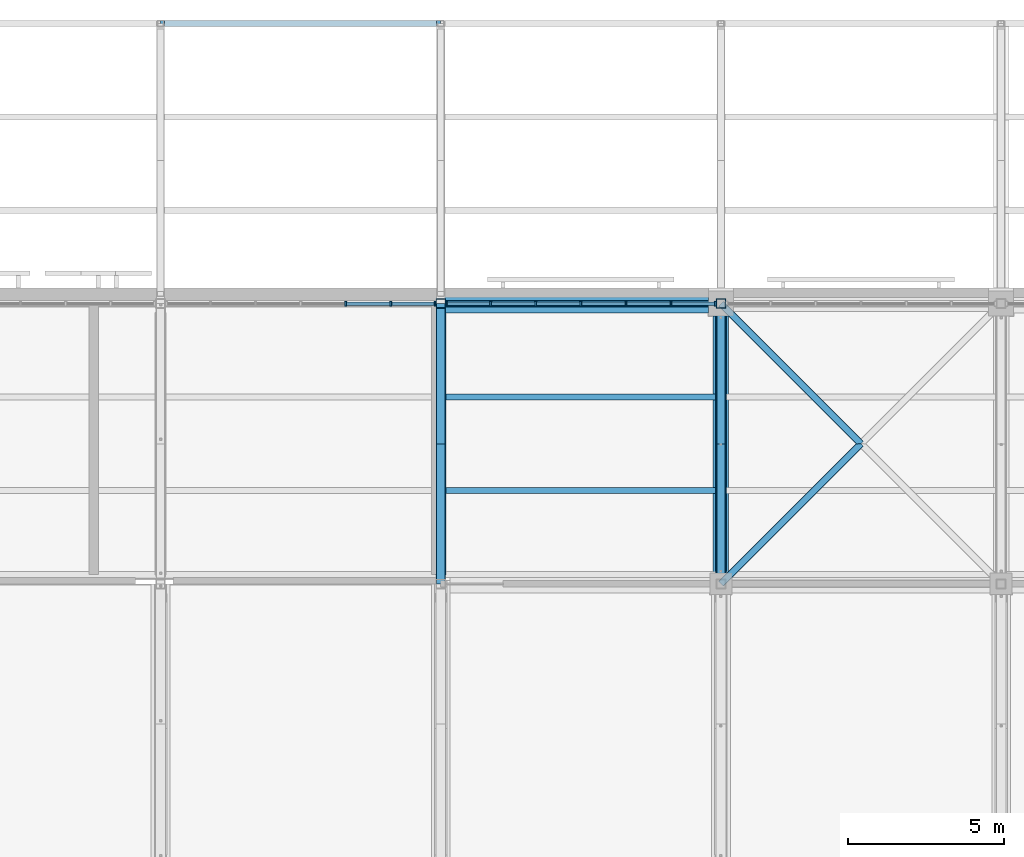
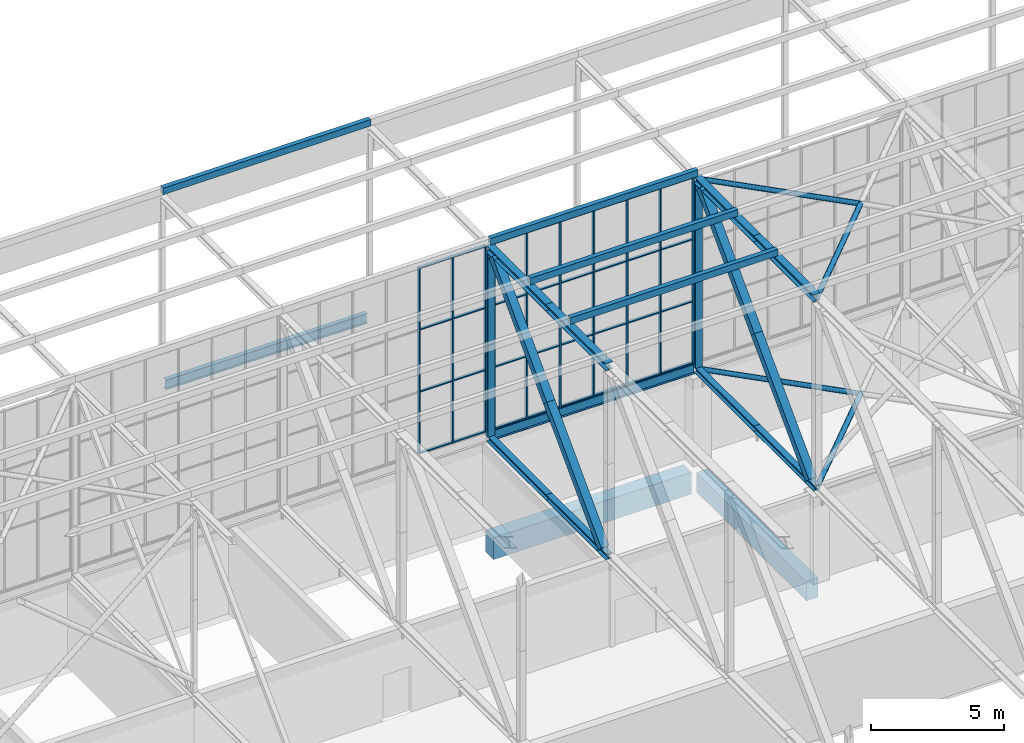
# One storey, part 122 of 646: 66 members, 4 beams, 2 elements without a shape of their own.
"""IFC4 building model written with IfcOpenShell, lengths in metres."""

from ifc_helpers import new_model, si_unit, direction, frame, origin, origin_2d, place, context, subcontext, project, spatial, rectangle, hollow_rectangle, hollow_circle, i_section, extrude, material, material_profile, profile_set, type_object, element, aggregate, save


model = new_model("IFC4")

# Units and contexts
model_context = context("Model", 3, precision=1e-05, world=origin(), true_north=direction((0.0, 1.0)))
body_context = subcontext(model_context, "Body", "Model", "MODEL_VIEW")
ifc_project = project(units=[si_unit("LENGTHUNIT", "METRE"), si_unit("AREAUNIT", "SQUARE_METRE"), si_unit("VOLUMEUNIT", "CUBIC_METRE"), si_unit("PLANEANGLEUNIT", "RADIAN"), si_unit("MASSUNIT", "GRAM", prefix="KILO")], contexts=[model_context])

# Site, building, storey
site_placement = place(None, origin())
site = spatial("IfcSite", under=ifc_project, at=site_placement, CompositionType="ELEMENT")
building_placement = place(site_placement, origin())
building = spatial("IfcBuilding", under=site, at=building_placement, Name="Silverbay Arena", CompositionType="ELEMENT")
storey_placement = place(building_placement, frame((0.0, 0.0, 33.5)))
storey = spatial("IfcBuildingStorey", under=building, at=storey_placement, Name="L05", CompositionType="ELEMENT", Elevation=33.5)

# Members
ifc_material_1 = material(Name="Steel S355", Category="steel")
ifc_material_profile_1 = material_profile(ifc_material_1, i_section(OverallWidth=0.2587890625, OverallDepth=0.2666015625, WebThickness=0.0126953125, FlangeThickness=0.0205078125, at=origin_2d()), Name="UC 254x254x107")
ifc_profile_set_1 = profile_set([ifc_material_profile_1], Name="Steel S355")
member_type_1 = type_object("IfcMemberType", Name="Main-span bottom chord UC 254x254x107", PredefinedType="CHORD", material=ifc_profile_set_1)
for number, where, z_axis, x_axis, name in (
    (1, (117.0, 135.0, 4.13330078125), (0.0, 1.0, 0.0), (-1.0, 0.0, 0.0), "ROOF TRUSS 14 bottom chord 15a"),
    (2, (117.0, 139.5, 4.13330078125), (0.0, 1.0, 0.0), (-1.0, 0.0, 0.0), "ROOF TRUSS 14 bottom chord 15b"),
    (3, (126.0, 135.0, 4.13330078125), (0.0, 1.0, 0.0), (-1.0, 0.0, 0.0), "ROOF TRUSS 15 bottom chord 15a"),
    (4, (126.0, 139.5, 4.13330078125), (0.0, 1.0, 0.0), (-1.0, 0.0, 0.0), "ROOF TRUSS 15 bottom chord 15b"),
):
    element("IfcMember", number, at=place(storey_placement, frame(where, z_axis=z_axis, x_axis=x_axis)), inside=storey, type_object=member_type_1, Name=name, PredefinedType="CHORD", context=body_context, shape_type="SweptSolid", body=[
        extrude(i_section(OverallWidth=0.2587890625, OverallDepth=0.2666015625, WebThickness=0.0126953125, FlangeThickness=0.0205078125, at=origin_2d()), origin(), (0.0, 0.0, 1.0), 4.5),
    ])
ifc_material_2 = material(Name="Steel S355", Category="steel")
ifc_material_profile_2 = material_profile(ifc_material_2, i_section(OverallWidth=0.307373046875, OverallDepth=0.314453125, WebThickness=0.011962890625, FlangeThickness=0.018798828125, at=origin_2d()), Name="UC 305x305x118")
ifc_profile_set_2 = profile_set([ifc_material_profile_2], Name="Steel S355")
member_type_2 = type_object("IfcMemberType", Name="Main-span top chord UC 305x305x118", PredefinedType="CHORD", material=ifc_profile_set_2)
for number, where, z_axis, x_axis, name in (
    (5, (117.0, 135.0, 12.8427734375), (0.0, 1.0, 0.0), (-1.0, 0.0, 0.0), "ROOF TRUSS 14 top chord 15a"),
    (6, (117.0, 139.5, 12.8427734375), (0.0, 1.0, 0.0), (-1.0, 0.0, 0.0), "ROOF TRUSS 14 top chord 15b"),
    (7, (126.0, 135.0, 12.8427734375), (0.0, 1.0, 0.0), (-1.0, 0.0, 0.0), "ROOF TRUSS 15 top chord 15a"),
    (8, (126.0, 139.5, 12.8427734375), (0.0, 1.0, 0.0), (-1.0, 0.0, 0.0), "ROOF TRUSS 15 top chord 15b"),
):
    element("IfcMember", number, at=place(storey_placement, frame(where, z_axis=z_axis, x_axis=x_axis)), inside=storey, type_object=member_type_2, Name=name, PredefinedType="CHORD", context=body_context, shape_type="SweptSolid", body=[
        extrude(i_section(OverallWidth=0.307373046875, OverallDepth=0.314453125, WebThickness=0.011962890625, FlangeThickness=0.018798828125, at=origin_2d()), origin(), (0.0, 0.0, 1.0), 4.5),
    ])
ifc_material_3 = material(Name="Steel S355", Category="steel")
ifc_material_profile_3 = material_profile(ifc_material_3, hollow_rectangle(XDim=0.35009765625, YDim=0.35009765625, WallThickness=0.01611328125, at=origin_2d()), Name="SHS 350x350x16")
ifc_profile_set_3 = profile_set([ifc_material_profile_3], Name="Steel S355")
member_type_3 = type_object("IfcMemberType", Name="Main-span truss diagonal SHS 350x350x16", PredefinedType="BRACE", material=ifc_profile_set_3)
for number, where, z_axis, x_axis, name in (
    (9, (117.0, 143.59375, 12.685546875), (0.0, -0.697184071327, -0.716892161129), (1.0, 0.0, 0.0), "ROOF TRUSS 14 diagonal 15a"),
    (10, (117.0, 139.5, 8.47607421875), (0.0, -0.697184071327, -0.716892161129), (1.0, 0.0, 0.0), "ROOF TRUSS 14 diagonal 15b"),
    (11, (126.0, 143.59375, 12.685546875), (0.0, -0.697184071327, -0.716892161129), (1.0, 0.0, 0.0), "ROOF TRUSS 15 diagonal 15a"),
    (12, (126.0, 139.5, 8.47607421875), (0.0, -0.697184071327, -0.716892161129), (1.0, 0.0, 0.0), "ROOF TRUSS 15 diagonal 15b"),
):
    element("IfcMember", number, at=place(storey_placement, frame(where, z_axis=z_axis, x_axis=x_axis)), inside=storey, type_object=member_type_3, Name=name, PredefinedType="BRACE", context=body_context, shape_type="SweptSolid", body=[
        extrude(hollow_rectangle(XDim=0.35009765625, YDim=0.35009765625, WallThickness=0.01611328125, at=origin_2d()), origin(), (0.0, 0.0, 1.0), 5.871826171875),
    ])
ifc_material_4 = material(Name="Steel S355", Category="steel")
ifc_material_profile_4 = material_profile(ifc_material_4, hollow_rectangle(XDim=0.300048828125, YDim=0.300048828125, WallThickness=0.012451171875, at=origin_2d()), Name="SHS 300x300x12.5")
ifc_profile_set_4 = profile_set([ifc_material_profile_4], Name="Steel S355")
member_type_4 = type_object("IfcMemberType", Name="Main-span truss vertical SHS 300x300x12.5", PredefinedType="STRUT", material=ifc_profile_set_4)
for number, where, z_axis, x_axis, name in (
    (13, (117.0, 144.0, 4.2666015625), (0.0, 0.0, 1.0), (1.0, 0.0, 0.0), "ROOF TRUSS 14 vertical 16a"),
    (14, (117.0, 144.0, 8.47607421875), (0.0, 0.0, 1.0), (1.0, 0.0, 0.0), "ROOF TRUSS 14 vertical 16b"),
    (15, (126.0, 144.0, 4.2666015625), (0.0, 0.0, 1.0), (1.0, 0.0, 0.0), "ROOF TRUSS 15 vertical 16a"),
    (16, (126.0, 144.0, 8.47607421875), (0.0, 0.0, 1.0), (1.0, 0.0, 0.0), "ROOF TRUSS 15 vertical 16b"),
):
    element("IfcMember", number, at=place(storey_placement, frame(where, z_axis=z_axis, x_axis=x_axis)), inside=storey, type_object=member_type_4, Name=name, PredefinedType="STRUT", context=body_context, shape_type="SweptSolid", body=[
        extrude(hollow_rectangle(XDim=0.300048828125, YDim=0.300048828125, WallThickness=0.012451171875, at=origin_2d()), origin(), (0.0, 0.0, 1.0), 4.20947265625),
    ])

# Curtain wall, members
ifc_material_5 = material(Name="Aluminium framed glazing", Category="aluminium")
curtain_wall_type = type_object("IfcCurtainWallType", Name="Curtain wall clerestory 8693 x 8540", PredefinedType="NOTDEFINED", material=ifc_material_5)
curtain_wall_1_placement = place(storey_placement, origin())
curtain_wall_1 = element("IfcCurtainWall", 17, at=curtain_wall_1_placement, inside=storey, type_object=curtain_wall_type, Name="ROOF CLERESTORY CURTAIN WALL north bay 07", PredefinedType="NOTDEFINED")
ifc_material_6 = material(Name="Aluminium", Category="aluminium")
ifc_material_profile_5 = material_profile(ifc_material_6, rectangle(XDim=0.159912109375, YDim=0.06005859375, at=origin_2d()), Name="Mullion 60 x 160")
ifc_profile_set_5 = profile_set([ifc_material_profile_5], Name="Aluminium")
member_type_5 = type_object("IfcMemberType", Name="Mullion 60 x 160", PredefinedType="MULLION", material=ifc_profile_set_5)
member_1_placement = place(storey_placement, frame((113.94873046875, 144.0, 4.4599609375), z_axis=(0.0, 0.0, 1.0), x_axis=(0.0, 1.0, 0.0)))
member_1 = element("IfcMember", 18, at=member_1_placement, type_object=member_type_5, Name="CW55 mullion 5", PredefinedType="MULLION", context=body_context, shape_type="SweptSolid", body=[
    extrude(rectangle(XDim=0.159912109375, YDim=0.06005859375, at=origin_2d()), origin(), (0.0, 0.0, 1.0), 8.5400390625),
])
member_2_placement = place(storey_placement, frame((115.3974609375, 144.0, 4.4599609375), z_axis=(0.0, 0.0, 1.0), x_axis=(0.0, 1.0, 0.0)))
member_2 = element("IfcMember", 19, at=member_2_placement, type_object=member_type_5, Name="CW55 mullion 6", PredefinedType="MULLION", context=body_context, shape_type="SweptSolid", body=[
    extrude(rectangle(XDim=0.159912109375, YDim=0.06005859375, at=origin_2d()), origin(), (0.0, 0.0, 1.0), 8.5400390625),
])
member_3_placement = place(storey_placement, frame((116.81640625, 144.0, 4.4599609375), z_axis=(0.0, 0.0, 1.0), x_axis=(0.0, 1.0, 0.0)))
member_3 = element("IfcMember", 20, at=member_3_placement, type_object=member_type_5, Name="CW55 mullion 7", PredefinedType="MULLION", context=body_context, shape_type="SweptSolid", body=[
    extrude(rectangle(XDim=0.159912109375, YDim=0.06005859375, at=origin_2d()), origin(), (0.0, 0.0, 1.0), 8.5400390625),
])

curtain_wall_2_placement = place(storey_placement, origin())
curtain_wall_2 = element("IfcCurtainWall", 21, at=curtain_wall_2_placement, inside=storey, type_object=curtain_wall_type, Name="ROOF CLERESTORY CURTAIN WALL north bay 08", PredefinedType="NOTDEFINED")
member_4_placement = place(storey_placement, frame((117.18359375, 144.0, 4.4599609375), z_axis=(0.0, 0.0, 1.0), x_axis=(0.0, 1.0, 0.0)))
member_4 = element("IfcMember", 22, at=member_4_placement, type_object=member_type_5, Name="CW55 mullion 1", PredefinedType="MULLION", context=body_context, shape_type="SweptSolid", body=[
    extrude(rectangle(XDim=0.159912109375, YDim=0.06005859375, at=origin_2d()), origin(), (0.0, 0.0, 1.0), 8.5400390625),
])
member_5_placement = place(storey_placement, frame((118.6025390625, 144.0, 4.4599609375), z_axis=(0.0, 0.0, 1.0), x_axis=(0.0, 1.0, 0.0)))
member_5 = element("IfcMember", 23, at=member_5_placement, type_object=member_type_5, Name="CW55 mullion 2", PredefinedType="MULLION", context=body_context, shape_type="SweptSolid", body=[
    extrude(rectangle(XDim=0.159912109375, YDim=0.06005859375, at=origin_2d()), origin(), (0.0, 0.0, 1.0), 8.5400390625),
])
member_6_placement = place(storey_placement, frame((120.05126953125, 144.0, 4.4599609375), z_axis=(0.0, 0.0, 1.0), x_axis=(0.0, 1.0, 0.0)))
member_6 = element("IfcMember", 24, at=member_6_placement, type_object=member_type_5, Name="CW55 mullion 3", PredefinedType="MULLION", context=body_context, shape_type="SweptSolid", body=[
    extrude(rectangle(XDim=0.159912109375, YDim=0.06005859375, at=origin_2d()), origin(), (0.0, 0.0, 1.0), 8.5400390625),
])
member_7_placement = place(storey_placement, frame((121.5, 144.0, 4.4599609375), z_axis=(0.0, 0.0, 1.0), x_axis=(0.0, 1.0, 0.0)))
member_7 = element("IfcMember", 25, at=member_7_placement, type_object=member_type_5, Name="CW55 mullion 4", PredefinedType="MULLION", context=body_context, shape_type="SweptSolid", body=[
    extrude(rectangle(XDim=0.159912109375, YDim=0.06005859375, at=origin_2d()), origin(), (0.0, 0.0, 1.0), 8.5400390625),
])
member_8_placement = place(storey_placement, frame((122.94873046875, 144.0, 4.4599609375), z_axis=(0.0, 0.0, 1.0), x_axis=(0.0, 1.0, 0.0)))
member_8 = element("IfcMember", 26, at=member_8_placement, type_object=member_type_5, Name="CW55 mullion 5", PredefinedType="MULLION", context=body_context, shape_type="SweptSolid", body=[
    extrude(rectangle(XDim=0.159912109375, YDim=0.06005859375, at=origin_2d()), origin(), (0.0, 0.0, 1.0), 8.5400390625),
])
member_9_placement = place(storey_placement, frame((124.3974609375, 144.0, 4.4599609375), z_axis=(0.0, 0.0, 1.0), x_axis=(0.0, 1.0, 0.0)))
member_9 = element("IfcMember", 27, at=member_9_placement, type_object=member_type_5, Name="CW55 mullion 6", PredefinedType="MULLION", context=body_context, shape_type="SweptSolid", body=[
    extrude(rectangle(XDim=0.159912109375, YDim=0.06005859375, at=origin_2d()), origin(), (0.0, 0.0, 1.0), 8.5400390625),
])
member_10_placement = place(storey_placement, frame((125.81640625, 144.0, 4.4599609375), z_axis=(0.0, 0.0, 1.0), x_axis=(0.0, 1.0, 0.0)))
member_10 = element("IfcMember", 28, at=member_10_placement, type_object=member_type_5, Name="CW55 mullion 7", PredefinedType="MULLION", context=body_context, shape_type="SweptSolid", body=[
    extrude(rectangle(XDim=0.159912109375, YDim=0.06005859375, at=origin_2d()), origin(), (0.0, 0.0, 1.0), 8.5400390625),
])

# Members
ifc_material_7 = material(Name="Steel S355", Category="steel")
ifc_material_profile_6 = material_profile(ifc_material_7, hollow_circle(Radius=0.109619140625, WallThickness=0.00634765625, at=origin_2d()), Name="CHS 219.1x6.3")
ifc_profile_set_6 = profile_set([ifc_material_profile_6], Name="Steel S355")
member_type_6 = type_object("IfcMemberType", Name="Plan bracing CHS 219.1x6.3", PredefinedType="BRACE", material=ifc_profile_set_6)
for number, where, z_axis, x_axis, name in (
    (29, (126.0, 135.0, 12.8427734375), (0.707106781187, 0.707106781187, 0.0), (-0.707106781187, 0.707106781187, 0.0), "ROOF BRACING top 15-16 panel 15 Aa"),
    (30, (126.0, 144.0, 12.8427734375), (0.707106781187, -0.707106781187, 0.0), (0.707106781187, 0.707106781187, 0.0), "ROOF BRACING top 15-16 panel 15 Ba"),
    (31, (126.0, 135.0, 4.13330078125), (0.707106781187, 0.707106781187, 0.0), (-0.707106781187, 0.707106781187, 0.0), "ROOF BRACING bottom 15-16 panel 15 Aa"),
    (32, (126.0, 144.0, 4.13330078125), (0.707106781187, -0.707106781187, 0.0), (0.707106781187, 0.707106781187, 0.0), "ROOF BRACING bottom 15-16 panel 15 Ba"),
):
    element("IfcMember", number, at=place(storey_placement, frame(where, z_axis=z_axis, x_axis=x_axis)), inside=storey, type_object=member_type_6, Name=name, PredefinedType="BRACE", context=body_context, shape_type="SweptSolid", body=[
        extrude(hollow_circle(Radius=0.109619140625, WallThickness=0.00634765625, at=origin_2d()), origin(), (0.0, 0.0, 1.0), 6.364013671875),
    ])
ifc_material_8 = material(Name="Steel S355", Category="steel")
ifc_material_profile_7 = material_profile(ifc_material_8, hollow_rectangle(XDim=0.199951171875, YDim=0.300048828125, WallThickness=0.00634765625, at=origin_2d()), Name="RHS 300x200x6.3")
ifc_profile_set_7 = profile_set([ifc_material_profile_7], Name="Steel S355")
member_type_7 = type_object("IfcMemberType", Name="Purlin RHS 300x200x6.3", PredefinedType="PURLIN", material=ifc_profile_set_7)
member_11_placement = place(storey_placement, frame((117.0, 138.0, 13.14990234375), z_axis=(1.0, 0.0, 0.0), x_axis=(0.0, 1.0, 0.0)))
element("IfcMember", 33, at=member_11_placement, inside=storey, type_object=member_type_7, Name="ROOF PURLIN 14-15 line 44", PredefinedType="PURLIN", context=body_context, shape_type="SweptSolid", body=[
    extrude(hollow_rectangle(XDim=0.199951171875, YDim=0.300048828125, WallThickness=0.00634765625, at=origin_2d()), origin(), (0.0, 0.0, 1.0), 9.0),
])
ifc_material_9 = material(Name="Steel S355", Category="steel")
ifc_material_profile_8 = material_profile(ifc_material_9, hollow_rectangle(XDim=0.199951171875, YDim=0.300048828125, WallThickness=0.008056640625, at=origin_2d()), Name="RHS 300x200x8")
ifc_profile_set_8 = profile_set([ifc_material_profile_8], Name="Steel S355")
member_type_8 = type_object("IfcMemberType", Name="Purlin RHS 300x200x8", PredefinedType="PURLIN", material=ifc_profile_set_8)
for number, where, z_axis, x_axis, name in (
    (34, (108.0, 153.0, 13.14990234375), (1.0, 0.0, 0.0), (0.0, 1.0, 0.0), "ROOF PURLIN 13-14 line 49"),
    (35, (117.0, 141.0, 13.14990234375), (1.0, 0.0, 0.0), (0.0, 1.0, 0.0), "ROOF PURLIN 14-15 line 45"),
    (36, (117.0, 144.0, 13.14990234375), (1.0, 0.0, 0.0), (0.0, 1.0, 0.0), "ROOF PURLIN 14-15 line 46"),
):
    element("IfcMember", number, at=place(storey_placement, frame(where, z_axis=z_axis, x_axis=x_axis)), inside=storey, type_object=member_type_8, Name=name, PredefinedType="PURLIN", context=body_context, shape_type="SweptSolid", body=[
        extrude(hollow_rectangle(XDim=0.199951171875, YDim=0.300048828125, WallThickness=0.008056640625, at=origin_2d()), origin(), (0.0, 0.0, 1.0), 9.0),
    ])

# Beams
ifc_material_10 = material(Name="Concrete Grade C45", Category="concrete")
ifc_material_profile_9 = material_profile(ifc_material_10, rectangle(XDim=0.5, YDim=0.89990234375, at=origin_2d()), Name="RC 500x900")
ifc_profile_set_9 = profile_set([ifc_material_profile_9], Name="Concrete Grade C45")
beam_type_1 = type_object("IfcBeamType", Name="RC beam 500x900", PredefinedType="BEAM", material=ifc_profile_set_9)
beam_1_placement = place(storey_placement, frame((126.0, 135.35009765625, -0.75), z_axis=(0.0, 1.0, 0.0), x_axis=(-1.0, 0.0, 0.0)))
element("IfcBeam", 37, at=beam_1_placement, inside=storey, type_object=beam_type_1, Name="Floor beam L05 112", PredefinedType="BEAM", context=body_context, shape_type="SweptSolid", body=[
    extrude(rectangle(XDim=0.5, YDim=0.89990234375, at=origin_2d()), origin(), (0.0, 0.0, 1.0), 8.25),
])
ifc_material_11 = material(Name="Concrete Grade C45", Category="concrete")
ifc_material_profile_10 = material_profile(ifc_material_11, rectangle(XDim=0.60009765625, YDim=1.0, at=origin_2d()), Name="RC 600x1000")
ifc_profile_set_10 = profile_set([ifc_material_profile_10], Name="Concrete Grade C45")
beam_type_2 = type_object("IfcBeamType", Name="RC beam 600x1000", PredefinedType="BEAM", material=ifc_profile_set_10)
beam_2_placement = place(storey_placement, frame((117.0, 144.0, -0.800048828125), z_axis=(1.0, 0.0, 0.0), x_axis=(0.0, 1.0, 0.0)))
element("IfcBeam", 38, at=beam_2_placement, inside=storey, type_object=beam_type_2, Name="Floor beam L05 067", PredefinedType="BEAM", context=body_context, shape_type="SweptSolid", body=[
    extrude(rectangle(XDim=0.60009765625, YDim=1.0, at=origin_2d()), origin(), (0.0, 0.0, 1.0), 8.60009765625),
])
ifc_material_12 = material(Name="Steel S355", Category="steel")
ifc_material_profile_11 = material_profile(ifc_material_12, i_section(OverallWidth=0.18994140625, OverallDepth=0.453369140625, WebThickness=0.008544921875, FlangeThickness=0.0126953125, at=origin_2d()), Name="UB 457x191x67")
ifc_profile_set_11 = profile_set([ifc_material_profile_11], Name="Steel S355")
beam_type_3 = type_object("IfcBeamType", Name="Ring beam UB 457x191x67", PredefinedType="BEAM", material=ifc_profile_set_11)
beam_3_placement = place(storey_placement, frame((108.12939453125, 153.0, 4.226806640625), z_axis=(1.0, 0.0, 0.0), x_axis=(0.0, 1.0, 0.0)))
element("IfcBeam", 39, at=beam_3_placement, inside=storey, type_object=beam_type_3, Name="RING BEAM north edge 13-14", PredefinedType="BEAM", context=body_context, shape_type="SweptSolid", body=[
    extrude(i_section(OverallWidth=0.18994140625, OverallDepth=0.453369140625, WebThickness=0.008544921875, FlangeThickness=0.0126953125, at=origin_2d()), origin(), (0.0, 0.0, 1.0), 8.7412109375),
])
ifc_material_13 = material(Name="Steel S355", Category="steel")
ifc_material_profile_12 = material_profile(ifc_material_13, i_section(OverallWidth=0.19140625, OverallDepth=0.4599609375, WebThickness=0.010009765625, FlangeThickness=0.01611328125, at=origin_2d()), Name="UB 457x191x82")
ifc_profile_set_12 = profile_set([ifc_material_profile_12], Name="Steel S355")
beam_type_4 = type_object("IfcBeamType", Name="Ring beam UB 457x191x82", PredefinedType="BEAM", material=ifc_profile_set_12)
beam_4_placement = place(storey_placement, frame((117.12939453125, 144.0, 4.22998046875), z_axis=(1.0, 0.0, 0.0), x_axis=(0.0, 1.0, 0.0)))
element("IfcBeam", 40, at=beam_4_placement, inside=storey, type_object=beam_type_4, Name="RING BEAM north facade 14-15", PredefinedType="BEAM", context=body_context, shape_type="SweptSolid", body=[
    extrude(i_section(OverallWidth=0.19140625, OverallDepth=0.4599609375, WebThickness=0.010009765625, FlangeThickness=0.01611328125, at=origin_2d()), origin(), (0.0, 0.0, 1.0), 8.7412109375),
])

# Member
ifc_material_14 = material(Name="Aluminium", Category="aluminium")
ifc_material_profile_13 = material_profile(ifc_material_14, rectangle(XDim=0.1201171875, YDim=0.050048828125, at=origin_2d()), Name="Transom 50 x 120")
ifc_profile_set_13 = profile_set([ifc_material_profile_13], Name="Aluminium")
member_type_9 = type_object("IfcMemberType", Name="Transom 50 x 120", PredefinedType="USERDEFINED", material=ifc_profile_set_13)
member_12_placement = place(storey_placement, frame((113.978759765625, 144.0, 4.485107421875), z_axis=(1.0, 0.0, 0.0), x_axis=(0.0, 1.0, 0.0)))
member_12 = element("IfcMember", 41, at=member_12_placement, type_object=member_type_9, Name="CW55 transom 5.1", ObjectType="TRANSOM", PredefinedType="USERDEFINED", context=body_context, shape_type="SweptSolid", body=[
    extrude(rectangle(XDim=0.1201171875, YDim=0.050048828125, at=origin_2d()), origin(), (0.0, 0.0, 1.0), 1.388671875),
])

member_13_placement = place(storey_placement, frame((113.978759765625, 144.0, 7.306640625), z_axis=(1.0, 0.0, 0.0), x_axis=(0.0, 1.0, 0.0)))
member_13 = element("IfcMember", 42, at=member_13_placement, type_object=member_type_9, Name="CW55 transom 5.2", ObjectType="TRANSOM", PredefinedType="USERDEFINED", context=body_context, shape_type="SweptSolid", body=[
    extrude(rectangle(XDim=0.1201171875, YDim=0.050048828125, at=origin_2d()), origin(), (0.0, 0.0, 1.0), 1.388671875),
])

member_14_placement = place(storey_placement, frame((113.978759765625, 144.0, 10.1533203125), z_axis=(1.0, 0.0, 0.0), x_axis=(0.0, 1.0, 0.0)))
member_14 = element("IfcMember", 43, at=member_14_placement, type_object=member_type_9, Name="CW55 transom 5.3", ObjectType="TRANSOM", PredefinedType="USERDEFINED", context=body_context, shape_type="SweptSolid", body=[
    extrude(rectangle(XDim=0.1201171875, YDim=0.050048828125, at=origin_2d()), origin(), (0.0, 0.0, 1.0), 1.388671875),
])

member_15_placement = place(storey_placement, frame((113.978759765625, 144.0, 12.97509765625), z_axis=(1.0, 0.0, 0.0), x_axis=(0.0, 1.0, 0.0)))
member_15 = element("IfcMember", 44, at=member_15_placement, type_object=member_type_9, Name="CW55 transom 5.4", ObjectType="TRANSOM", PredefinedType="USERDEFINED", context=body_context, shape_type="SweptSolid", body=[
    extrude(rectangle(XDim=0.1201171875, YDim=0.050048828125, at=origin_2d()), origin(), (0.0, 0.0, 1.0), 1.388671875),
])

member_16_placement = place(storey_placement, frame((115.427490234375, 144.0, 4.485107421875), z_axis=(1.0, 0.0, 0.0), x_axis=(0.0, 1.0, 0.0)))
member_16 = element("IfcMember", 45, at=member_16_placement, type_object=member_type_9, Name="CW55 transom 6.1", ObjectType="TRANSOM", PredefinedType="USERDEFINED", context=body_context, shape_type="SweptSolid", body=[
    extrude(rectangle(XDim=0.1201171875, YDim=0.050048828125, at=origin_2d()), origin(), (0.0, 0.0, 1.0), 1.35888671875),
])

member_17_placement = place(storey_placement, frame((115.427490234375, 144.0, 7.306640625), z_axis=(1.0, 0.0, 0.0), x_axis=(0.0, 1.0, 0.0)))
member_17 = element("IfcMember", 46, at=member_17_placement, type_object=member_type_9, Name="CW55 transom 6.2", ObjectType="TRANSOM", PredefinedType="USERDEFINED", context=body_context, shape_type="SweptSolid", body=[
    extrude(rectangle(XDim=0.1201171875, YDim=0.050048828125, at=origin_2d()), origin(), (0.0, 0.0, 1.0), 1.35888671875),
])

member_18_placement = place(storey_placement, frame((115.427490234375, 144.0, 10.1533203125), z_axis=(1.0, 0.0, 0.0), x_axis=(0.0, 1.0, 0.0)))
member_18 = element("IfcMember", 47, at=member_18_placement, type_object=member_type_9, Name="CW55 transom 6.3", ObjectType="TRANSOM", PredefinedType="USERDEFINED", context=body_context, shape_type="SweptSolid", body=[
    extrude(rectangle(XDim=0.1201171875, YDim=0.050048828125, at=origin_2d()), origin(), (0.0, 0.0, 1.0), 1.35888671875),
])

member_19_placement = place(storey_placement, frame((115.427490234375, 144.0, 12.97509765625), z_axis=(1.0, 0.0, 0.0), x_axis=(0.0, 1.0, 0.0)))
member_19 = element("IfcMember", 48, at=member_19_placement, type_object=member_type_9, Name="CW55 transom 6.4", ObjectType="TRANSOM", PredefinedType="USERDEFINED", context=body_context, shape_type="SweptSolid", body=[
    extrude(rectangle(XDim=0.1201171875, YDim=0.050048828125, at=origin_2d()), origin(), (0.0, 0.0, 1.0), 1.35888671875),
])

aggregate(curtain_wall_1, [member_1, member_2, member_3, member_12, member_13, member_14, member_15, member_16, member_17, member_18, member_19])

member_20_placement = place(storey_placement, frame((117.213623046875, 144.0, 4.485107421875), z_axis=(1.0, 0.0, 0.0), x_axis=(0.0, 1.0, 0.0)))
member_20 = element("IfcMember", 49, at=member_20_placement, type_object=member_type_9, Name="CW55 transom 1.1", ObjectType="TRANSOM", PredefinedType="USERDEFINED", context=body_context, shape_type="SweptSolid", body=[
    extrude(rectangle(XDim=0.1201171875, YDim=0.050048828125, at=origin_2d()), origin(), (0.0, 0.0, 1.0), 1.35888671875),
])

member_21_placement = place(storey_placement, frame((117.213623046875, 144.0, 7.306640625), z_axis=(1.0, 0.0, 0.0), x_axis=(0.0, 1.0, 0.0)))
member_21 = element("IfcMember", 50, at=member_21_placement, type_object=member_type_9, Name="CW55 transom 1.2", ObjectType="TRANSOM", PredefinedType="USERDEFINED", context=body_context, shape_type="SweptSolid", body=[
    extrude(rectangle(XDim=0.1201171875, YDim=0.050048828125, at=origin_2d()), origin(), (0.0, 0.0, 1.0), 1.35888671875),
])

member_22_placement = place(storey_placement, frame((117.213623046875, 144.0, 10.1533203125), z_axis=(1.0, 0.0, 0.0), x_axis=(0.0, 1.0, 0.0)))
member_22 = element("IfcMember", 51, at=member_22_placement, type_object=member_type_9, Name="CW55 transom 1.3", ObjectType="TRANSOM", PredefinedType="USERDEFINED", context=body_context, shape_type="SweptSolid", body=[
    extrude(rectangle(XDim=0.1201171875, YDim=0.050048828125, at=origin_2d()), origin(), (0.0, 0.0, 1.0), 1.35888671875),
])

member_23_placement = place(storey_placement, frame((117.213623046875, 144.0, 12.97509765625), z_axis=(1.0, 0.0, 0.0), x_axis=(0.0, 1.0, 0.0)))
member_23 = element("IfcMember", 52, at=member_23_placement, type_object=member_type_9, Name="CW55 transom 1.4", ObjectType="TRANSOM", PredefinedType="USERDEFINED", context=body_context, shape_type="SweptSolid", body=[
    extrude(rectangle(XDim=0.1201171875, YDim=0.050048828125, at=origin_2d()), origin(), (0.0, 0.0, 1.0), 1.35888671875),
])

member_24_placement = place(storey_placement, frame((118.632568359375, 144.0, 4.485107421875), z_axis=(1.0, 0.0, 0.0), x_axis=(0.0, 1.0, 0.0)))
member_24 = element("IfcMember", 53, at=member_24_placement, type_object=member_type_9, Name="CW55 transom 2.1", ObjectType="TRANSOM", PredefinedType="USERDEFINED", context=body_context, shape_type="SweptSolid", body=[
    extrude(rectangle(XDim=0.1201171875, YDim=0.050048828125, at=origin_2d()), origin(), (0.0, 0.0, 1.0), 1.388671875),
])

member_25_placement = place(storey_placement, frame((118.632568359375, 144.0, 7.306640625), z_axis=(1.0, 0.0, 0.0), x_axis=(0.0, 1.0, 0.0)))
member_25 = element("IfcMember", 54, at=member_25_placement, type_object=member_type_9, Name="CW55 transom 2.2", ObjectType="TRANSOM", PredefinedType="USERDEFINED", context=body_context, shape_type="SweptSolid", body=[
    extrude(rectangle(XDim=0.1201171875, YDim=0.050048828125, at=origin_2d()), origin(), (0.0, 0.0, 1.0), 1.388671875),
])

member_26_placement = place(storey_placement, frame((118.632568359375, 144.0, 10.1533203125), z_axis=(1.0, 0.0, 0.0), x_axis=(0.0, 1.0, 0.0)))
member_26 = element("IfcMember", 55, at=member_26_placement, type_object=member_type_9, Name="CW55 transom 2.3", ObjectType="TRANSOM", PredefinedType="USERDEFINED", context=body_context, shape_type="SweptSolid", body=[
    extrude(rectangle(XDim=0.1201171875, YDim=0.050048828125, at=origin_2d()), origin(), (0.0, 0.0, 1.0), 1.388671875),
])

member_27_placement = place(storey_placement, frame((118.632568359375, 144.0, 12.97509765625), z_axis=(1.0, 0.0, 0.0), x_axis=(0.0, 1.0, 0.0)))
member_27 = element("IfcMember", 56, at=member_27_placement, type_object=member_type_9, Name="CW55 transom 2.4", ObjectType="TRANSOM", PredefinedType="USERDEFINED", context=body_context, shape_type="SweptSolid", body=[
    extrude(rectangle(XDim=0.1201171875, YDim=0.050048828125, at=origin_2d()), origin(), (0.0, 0.0, 1.0), 1.388671875),
])

member_28_placement = place(storey_placement, frame((120.081298828125, 144.0, 4.485107421875), z_axis=(1.0, 0.0, 0.0), x_axis=(0.0, 1.0, 0.0)))
member_28 = element("IfcMember", 57, at=member_28_placement, type_object=member_type_9, Name="CW55 transom 3.1", ObjectType="TRANSOM", PredefinedType="USERDEFINED", context=body_context, shape_type="SweptSolid", body=[
    extrude(rectangle(XDim=0.1201171875, YDim=0.050048828125, at=origin_2d()), origin(), (0.0, 0.0, 1.0), 1.388671875),
])

member_29_placement = place(storey_placement, frame((120.081298828125, 144.0, 7.306640625), z_axis=(1.0, 0.0, 0.0), x_axis=(0.0, 1.0, 0.0)))
member_29 = element("IfcMember", 58, at=member_29_placement, type_object=member_type_9, Name="CW55 transom 3.2", ObjectType="TRANSOM", PredefinedType="USERDEFINED", context=body_context, shape_type="SweptSolid", body=[
    extrude(rectangle(XDim=0.1201171875, YDim=0.050048828125, at=origin_2d()), origin(), (0.0, 0.0, 1.0), 1.388671875),
])

member_30_placement = place(storey_placement, frame((120.081298828125, 144.0, 10.1533203125), z_axis=(1.0, 0.0, 0.0), x_axis=(0.0, 1.0, 0.0)))
member_30 = element("IfcMember", 59, at=member_30_placement, type_object=member_type_9, Name="CW55 transom 3.3", ObjectType="TRANSOM", PredefinedType="USERDEFINED", context=body_context, shape_type="SweptSolid", body=[
    extrude(rectangle(XDim=0.1201171875, YDim=0.050048828125, at=origin_2d()), origin(), (0.0, 0.0, 1.0), 1.388671875),
])

member_31_placement = place(storey_placement, frame((120.081298828125, 144.0, 12.97509765625), z_axis=(1.0, 0.0, 0.0), x_axis=(0.0, 1.0, 0.0)))
member_31 = element("IfcMember", 60, at=member_31_placement, type_object=member_type_9, Name="CW55 transom 3.4", ObjectType="TRANSOM", PredefinedType="USERDEFINED", context=body_context, shape_type="SweptSolid", body=[
    extrude(rectangle(XDim=0.1201171875, YDim=0.050048828125, at=origin_2d()), origin(), (0.0, 0.0, 1.0), 1.388671875),
])

member_32_placement = place(storey_placement, frame((121.530029296875, 144.0, 4.485107421875), z_axis=(1.0, 0.0, 0.0), x_axis=(0.0, 1.0, 0.0)))
member_32 = element("IfcMember", 61, at=member_32_placement, type_object=member_type_9, Name="CW55 transom 4.1", ObjectType="TRANSOM", PredefinedType="USERDEFINED", context=body_context, shape_type="SweptSolid", body=[
    extrude(rectangle(XDim=0.1201171875, YDim=0.050048828125, at=origin_2d()), origin(), (0.0, 0.0, 1.0), 1.388671875),
])

member_33_placement = place(storey_placement, frame((121.530029296875, 144.0, 7.306640625), z_axis=(1.0, 0.0, 0.0), x_axis=(0.0, 1.0, 0.0)))
member_33 = element("IfcMember", 62, at=member_33_placement, type_object=member_type_9, Name="CW55 transom 4.2", ObjectType="TRANSOM", PredefinedType="USERDEFINED", context=body_context, shape_type="SweptSolid", body=[
    extrude(rectangle(XDim=0.1201171875, YDim=0.050048828125, at=origin_2d()), origin(), (0.0, 0.0, 1.0), 1.388671875),
])

member_34_placement = place(storey_placement, frame((121.530029296875, 144.0, 10.1533203125), z_axis=(1.0, 0.0, 0.0), x_axis=(0.0, 1.0, 0.0)))
member_34 = element("IfcMember", 63, at=member_34_placement, type_object=member_type_9, Name="CW55 transom 4.3", ObjectType="TRANSOM", PredefinedType="USERDEFINED", context=body_context, shape_type="SweptSolid", body=[
    extrude(rectangle(XDim=0.1201171875, YDim=0.050048828125, at=origin_2d()), origin(), (0.0, 0.0, 1.0), 1.388671875),
])

member_35_placement = place(storey_placement, frame((121.530029296875, 144.0, 12.97509765625), z_axis=(1.0, 0.0, 0.0), x_axis=(0.0, 1.0, 0.0)))
member_35 = element("IfcMember", 64, at=member_35_placement, type_object=member_type_9, Name="CW55 transom 4.4", ObjectType="TRANSOM", PredefinedType="USERDEFINED", context=body_context, shape_type="SweptSolid", body=[
    extrude(rectangle(XDim=0.1201171875, YDim=0.050048828125, at=origin_2d()), origin(), (0.0, 0.0, 1.0), 1.388671875),
])

member_36_placement = place(storey_placement, frame((122.978759765625, 144.0, 4.485107421875), z_axis=(1.0, 0.0, 0.0), x_axis=(0.0, 1.0, 0.0)))
member_36 = element("IfcMember", 65, at=member_36_placement, type_object=member_type_9, Name="CW55 transom 5.1", ObjectType="TRANSOM", PredefinedType="USERDEFINED", context=body_context, shape_type="SweptSolid", body=[
    extrude(rectangle(XDim=0.1201171875, YDim=0.050048828125, at=origin_2d()), origin(), (0.0, 0.0, 1.0), 1.388671875),
])

member_37_placement = place(storey_placement, frame((122.978759765625, 144.0, 7.306640625), z_axis=(1.0, 0.0, 0.0), x_axis=(0.0, 1.0, 0.0)))
member_37 = element("IfcMember", 66, at=member_37_placement, type_object=member_type_9, Name="CW55 transom 5.2", ObjectType="TRANSOM", PredefinedType="USERDEFINED", context=body_context, shape_type="SweptSolid", body=[
    extrude(rectangle(XDim=0.1201171875, YDim=0.050048828125, at=origin_2d()), origin(), (0.0, 0.0, 1.0), 1.388671875),
])

member_38_placement = place(storey_placement, frame((122.978759765625, 144.0, 10.1533203125), z_axis=(1.0, 0.0, 0.0), x_axis=(0.0, 1.0, 0.0)))
member_38 = element("IfcMember", 67, at=member_38_placement, type_object=member_type_9, Name="CW55 transom 5.3", ObjectType="TRANSOM", PredefinedType="USERDEFINED", context=body_context, shape_type="SweptSolid", body=[
    extrude(rectangle(XDim=0.1201171875, YDim=0.050048828125, at=origin_2d()), origin(), (0.0, 0.0, 1.0), 1.388671875),
])

member_39_placement = place(storey_placement, frame((122.978759765625, 144.0, 12.97509765625), z_axis=(1.0, 0.0, 0.0), x_axis=(0.0, 1.0, 0.0)))
member_39 = element("IfcMember", 68, at=member_39_placement, type_object=member_type_9, Name="CW55 transom 5.4", ObjectType="TRANSOM", PredefinedType="USERDEFINED", context=body_context, shape_type="SweptSolid", body=[
    extrude(rectangle(XDim=0.1201171875, YDim=0.050048828125, at=origin_2d()), origin(), (0.0, 0.0, 1.0), 1.388671875),
])

member_40_placement = place(storey_placement, frame((124.427490234375, 144.0, 4.485107421875), z_axis=(1.0, 0.0, 0.0), x_axis=(0.0, 1.0, 0.0)))
member_40 = element("IfcMember", 69, at=member_40_placement, type_object=member_type_9, Name="CW55 transom 6.1", ObjectType="TRANSOM", PredefinedType="USERDEFINED", context=body_context, shape_type="SweptSolid", body=[
    extrude(rectangle(XDim=0.1201171875, YDim=0.050048828125, at=origin_2d()), origin(), (0.0, 0.0, 1.0), 1.35888671875),
])

member_41_placement = place(storey_placement, frame((124.427490234375, 144.0, 7.306640625), z_axis=(1.0, 0.0, 0.0), x_axis=(0.0, 1.0, 0.0)))
member_41 = element("IfcMember", 70, at=member_41_placement, type_object=member_type_9, Name="CW55 transom 6.2", ObjectType="TRANSOM", PredefinedType="USERDEFINED", context=body_context, shape_type="SweptSolid", body=[
    extrude(rectangle(XDim=0.1201171875, YDim=0.050048828125, at=origin_2d()), origin(), (0.0, 0.0, 1.0), 1.35888671875),
])

member_42_placement = place(storey_placement, frame((124.427490234375, 144.0, 10.1533203125), z_axis=(1.0, 0.0, 0.0), x_axis=(0.0, 1.0, 0.0)))
member_42 = element("IfcMember", 71, at=member_42_placement, type_object=member_type_9, Name="CW55 transom 6.3", ObjectType="TRANSOM", PredefinedType="USERDEFINED", context=body_context, shape_type="SweptSolid", body=[
    extrude(rectangle(XDim=0.1201171875, YDim=0.050048828125, at=origin_2d()), origin(), (0.0, 0.0, 1.0), 1.35888671875),
])

member_43_placement = place(storey_placement, frame((124.427490234375, 144.0, 12.97509765625), z_axis=(1.0, 0.0, 0.0), x_axis=(0.0, 1.0, 0.0)))
member_43 = element("IfcMember", 72, at=member_43_placement, type_object=member_type_9, Name="CW55 transom 6.4", ObjectType="TRANSOM", PredefinedType="USERDEFINED", context=body_context, shape_type="SweptSolid", body=[
    extrude(rectangle(XDim=0.1201171875, YDim=0.050048828125, at=origin_2d()), origin(), (0.0, 0.0, 1.0), 1.35888671875),
])

aggregate(curtain_wall_2, [member_4, member_5, member_6, member_7, member_8, member_9, member_10, member_20, member_21, member_22, member_23, member_24, member_25, member_26, member_27, member_28, member_29, member_30, member_31, member_32, member_33, member_34, member_35, member_36, member_37, member_38, member_39, member_40, member_41, member_42, member_43])

save(model, "model.ifc")
